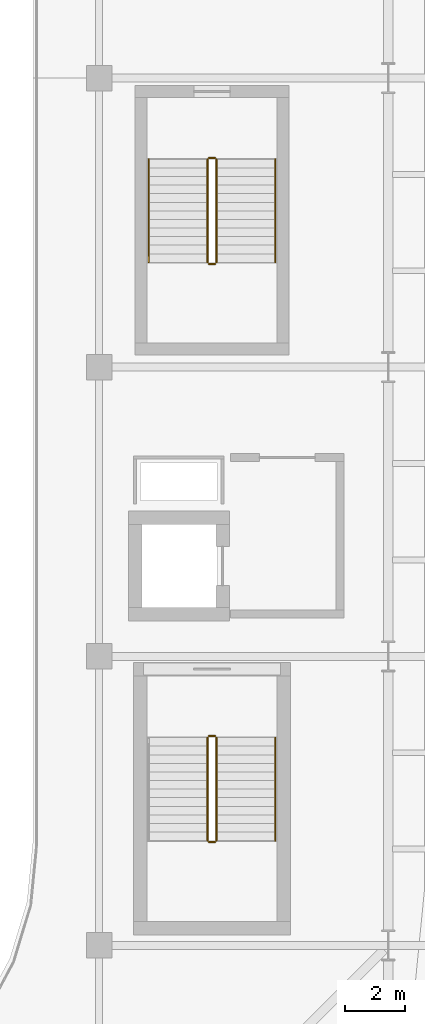
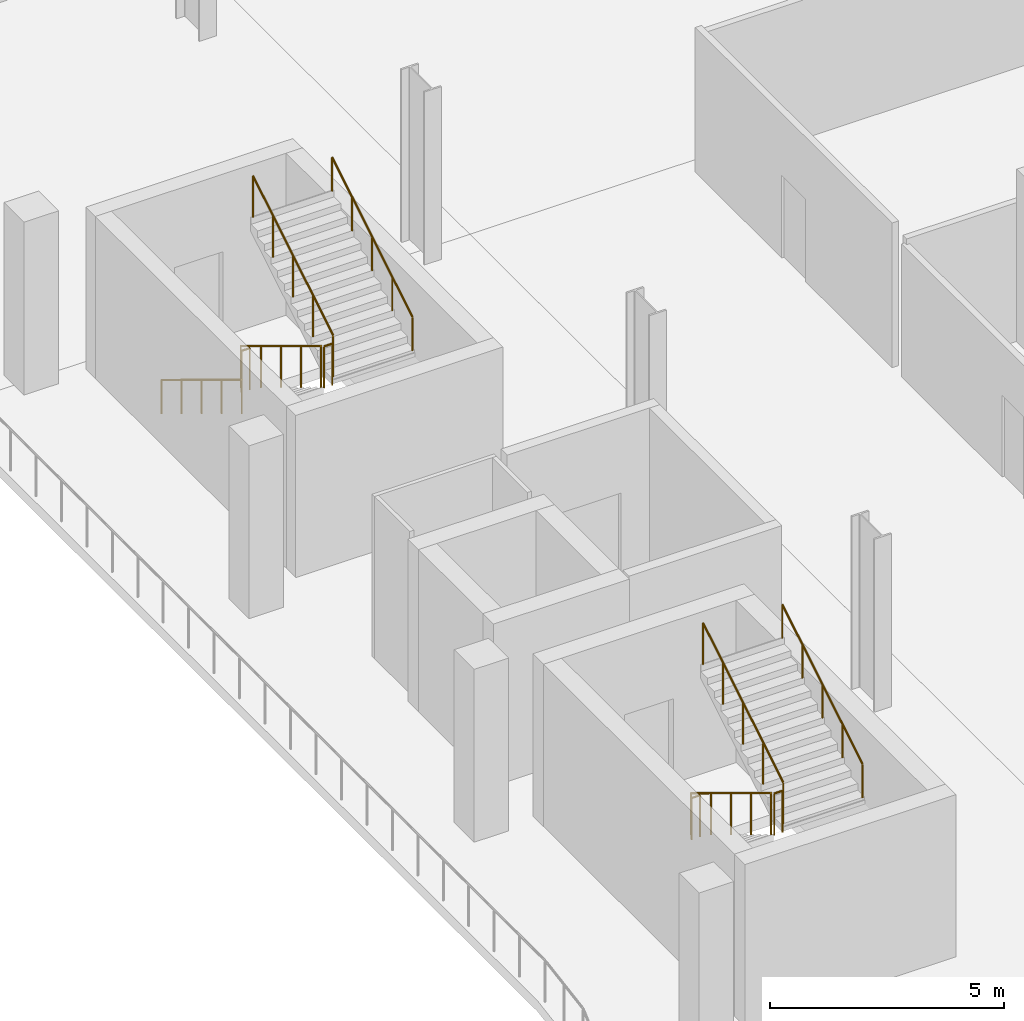
# One storey, part 86 of 92: 11 railings.
"""IFC4 building model written with IfcOpenShell, lengths in metres."""

from ifc_helpers import new_model, si_unit, direction, frame, origin, origin_2d, place, context, subcontext, project, spatial, circle, extrude, material, type_object, element, save


model = new_model("IFC4")

# Units and contexts
model_context = context("Model", 3, precision=1e-05, world=origin(), true_north=direction((0.0, 1.0)))
body_context = subcontext(model_context, "Body", "Model", "MODEL_VIEW")
ifc_project = project(units=[si_unit("LENGTHUNIT", "METRE"), si_unit("AREAUNIT", "SQUARE_METRE"), si_unit("VOLUMEUNIT", "CUBIC_METRE"), si_unit("PLANEANGLEUNIT", "RADIAN"), si_unit("MASSUNIT", "GRAM", prefix="KILO")], contexts=[model_context])

# Site, building, storey
site_placement = place(None, origin())
site = spatial("IfcSite", under=ifc_project, at=site_placement, CompositionType="ELEMENT")
building_placement = place(site_placement, origin())
building = spatial("IfcBuilding", under=site, at=building_placement, Name="Caelomonte Colonnade Arena", CompositionType="ELEMENT")
storey_placement = place(building_placement, frame((0.0, 0.0, 9.60009765625)))
storey = spatial("IfcBuildingStorey", under=building, at=storey_placement, Name="L02", CompositionType="ELEMENT", Elevation=9.60009765625)

# Railings
ifc_material_1 = material(Name="Painted galvanized steel stair guard", Category="steel")
railing_type_1 = type_object("IfcRailingType", Name="INT-RL-GRD", PredefinedType="GUARDRAIL", material=ifc_material_1)
railing_1_placement = place(storey_placement, frame((157.199951171875, 45.300048828125, 0.173095703125)))
element("IfcRailing", 1, at=railing_1_placement, inside=storey, type_object=railing_type_1, Name="L02 ST-02 stair guard 1", PredefinedType="GUARDRAIL", context=body_context, shape_type="SweptSolid", body=[
    extrude(circle(Radius=0.02392578125, at=origin_2d()), frame((0.0, 0.0, 1.076171875), z_axis=(0.0, -0.854745945586, 0.519046595696), x_axis=(1.0, 0.0, 0.0)), (0.0, 0.0, 1.0), 4.00146484375),
    extrude(circle(Radius=0.02099609375, at=origin_2d()), origin(), (0.0, 0.0, 1.0), 1.048095703125),
    extrude(circle(Radius=0.02099609375, at=origin_2d()), frame((0.0, -0.85498046875, 0.519287109375)), (0.0, 0.0, 1.0), 1.048095703125),
    extrude(circle(Radius=0.02099609375, at=origin_2d()), frame((0.0, -1.7099609375, 1.03857421875)), (0.0, 0.0, 1.0), 1.048095703125),
    extrude(circle(Radius=0.02099609375, at=origin_2d()), frame((0.0, -2.565185546875, 1.5576171875)), (0.0, 0.0, 1.0), 1.048095703125),
    extrude(circle(Radius=0.02099609375, at=origin_2d()), frame((0.0, -3.420166015625, 2.076904296875)), (0.0, 0.0, 1.0), 1.048095703125),
])
railing_2_placement = place(storey_placement, frame((157.25, 41.830078125, 2.25)))
element("IfcRailing", 2, at=railing_2_placement, inside=storey, type_object=railing_type_1, Name="L02 ST-02 stair guard 2", PredefinedType="GUARDRAIL", context=body_context, shape_type="SweptSolid", body=[
    extrude(circle(Radius=0.02392578125, at=origin_2d()), frame((0.0, 0.0, 1.076171875), z_axis=(1.0, 0.0, 0.0), x_axis=(0.0, 1.0, 0.0)), (0.0, 0.0, 1.0), 0.199951171875),
    extrude(circle(Radius=0.02099609375, at=origin_2d()), origin(), (0.0, 0.0, 1.0), 1.048095703125),
    extrude(circle(Radius=0.02099609375, at=origin_2d()), frame((0.199951171875, 0.0, 0.0)), (0.0, 0.0, 1.0), 1.048095703125),
])
railing_3_placement = place(storey_placement, frame((157.5, 41.8798828125, 2.423095703125)))
element("IfcRailing", 3, at=railing_3_placement, inside=storey, type_object=railing_type_1, Name="L02 ST-02 stair guard 3", PredefinedType="GUARDRAIL", context=body_context, shape_type="SweptSolid", body=[
    extrude(circle(Radius=0.02392578125, at=origin_2d()), frame((0.0, 0.0, 1.076171875), z_axis=(0.0, 0.854745945586, 0.519046595696), x_axis=(-1.0, 0.0, 0.0)), (0.0, 0.0, 1.0), 4.00146484375),
    extrude(circle(Radius=0.02099609375, at=origin_2d()), origin(), (0.0, 0.0, 1.0), 1.048095703125),
    extrude(circle(Radius=0.02099609375, at=origin_2d()), frame((0.0, 0.85498046875, 0.519287109375)), (0.0, 0.0, 1.0), 1.048095703125),
    extrude(circle(Radius=0.02099609375, at=origin_2d()), frame((0.0, 1.7099609375, 1.03857421875)), (0.0, 0.0, 1.0), 1.048095703125),
    extrude(circle(Radius=0.02099609375, at=origin_2d()), frame((0.0, 2.565185546875, 1.5576171875)), (0.0, 0.0, 1.0), 1.048095703125),
    extrude(circle(Radius=0.02099609375, at=origin_2d()), frame((0.0, 3.420166015625, 2.076904296875)), (0.0, 0.0, 1.0), 1.048095703125),
])
railing_4_placement = place(storey_placement, frame((157.25, 45.35009765625, 0.0)))
element("IfcRailing", 4, at=railing_4_placement, inside=storey, type_object=railing_type_1, Name="L02 ST-02 stair guard 4", PredefinedType="GUARDRAIL", context=body_context, shape_type="SweptSolid", body=[
    extrude(circle(Radius=0.02392578125, at=origin_2d()), frame((0.0, 0.0, 1.076171875), z_axis=(1.0, 0.0, 0.0), x_axis=(0.0, 1.0, 0.0)), (0.0, 0.0, 1.0), 0.199951171875),
    extrude(circle(Radius=0.02099609375, at=origin_2d()), origin(), (0.0, 0.0, 1.0), 1.048095703125),
    extrude(circle(Radius=0.02099609375, at=origin_2d()), frame((0.199951171875, 0.0, 0.0)), (0.0, 0.0, 1.0), 1.048095703125),
])
railing_5_placement = place(storey_placement, frame((157.199951171875, 64.5, 0.173095703125)))
element("IfcRailing", 5, at=railing_5_placement, inside=storey, type_object=railing_type_1, Name="L02 ST-10 stair guard 1", PredefinedType="GUARDRAIL", context=body_context, shape_type="SweptSolid", body=[
    extrude(circle(Radius=0.02392578125, at=origin_2d()), frame((0.0, 0.0, 1.076171875), z_axis=(0.0, -0.854729506542, 0.519073665916), x_axis=(1.0, 0.0, 0.0)), (0.0, 0.0, 1.0), 4.001220703125),
    extrude(circle(Radius=0.02099609375, at=origin_2d()), origin(), (0.0, 0.0, 1.0), 1.048095703125),
    extrude(circle(Radius=0.02099609375, at=origin_2d()), frame((0.0, -0.85498046875, 0.519287109375)), (0.0, 0.0, 1.0), 1.048095703125),
    extrude(circle(Radius=0.02099609375, at=origin_2d()), frame((0.0, -1.7099609375, 1.03857421875)), (0.0, 0.0, 1.0), 1.048095703125),
    extrude(circle(Radius=0.02099609375, at=origin_2d()), frame((0.0, -2.56494140625, 1.5576171875)), (0.0, 0.0, 1.0), 1.048095703125),
    extrude(circle(Radius=0.02099609375, at=origin_2d()), frame((0.0, -3.419921875, 2.076904296875)), (0.0, 0.0, 1.0), 1.048095703125),
])
railing_6_placement = place(storey_placement, frame((157.25, 61.030029296875, 2.25)))
element("IfcRailing", 6, at=railing_6_placement, inside=storey, type_object=railing_type_1, Name="L02 ST-10 stair guard 2", PredefinedType="GUARDRAIL", context=body_context, shape_type="SweptSolid", body=[
    extrude(circle(Radius=0.02392578125, at=origin_2d()), frame((0.0, 0.0, 1.076171875), z_axis=(1.0, 0.0, 0.0), x_axis=(0.0, 1.0, 0.0)), (0.0, 0.0, 1.0), 0.199951171875),
    extrude(circle(Radius=0.02099609375, at=origin_2d()), origin(), (0.0, 0.0, 1.0), 1.048095703125),
    extrude(circle(Radius=0.02099609375, at=origin_2d()), frame((0.199951171875, 0.0, 0.0)), (0.0, 0.0, 1.0), 1.048095703125),
])
railing_7_placement = place(storey_placement, frame((157.5, 61.080078125, 2.423095703125)))
element("IfcRailing", 7, at=railing_7_placement, inside=storey, type_object=railing_type_1, Name="L02 ST-10 stair guard 3", PredefinedType="GUARDRAIL", context=body_context, shape_type="SweptSolid", body=[
    extrude(circle(Radius=0.02392578125, at=origin_2d()), frame((0.0, 0.0, 1.076171875), z_axis=(0.0, 0.854729506542, 0.519073665916), x_axis=(-1.0, 0.0, 0.0)), (0.0, 0.0, 1.0), 4.001220703125),
    extrude(circle(Radius=0.02099609375, at=origin_2d()), origin(), (0.0, 0.0, 1.0), 1.048095703125),
    extrude(circle(Radius=0.02099609375, at=origin_2d()), frame((0.0, 0.85498046875, 0.519287109375)), (0.0, 0.0, 1.0), 1.048095703125),
    extrude(circle(Radius=0.02099609375, at=origin_2d()), frame((0.0, 1.7099609375, 1.03857421875)), (0.0, 0.0, 1.0), 1.048095703125),
    extrude(circle(Radius=0.02099609375, at=origin_2d()), frame((0.0, 2.56494140625, 1.5576171875)), (0.0, 0.0, 1.0), 1.048095703125),
    extrude(circle(Radius=0.02099609375, at=origin_2d()), frame((0.0, 3.419921875, 2.076904296875)), (0.0, 0.0, 1.0), 1.048095703125),
])
railing_8_placement = place(storey_placement, frame((157.25, 64.550048828125, 0.0)))
element("IfcRailing", 8, at=railing_8_placement, inside=storey, type_object=railing_type_1, Name="L02 ST-10 stair guard 4", PredefinedType="GUARDRAIL", context=body_context, shape_type="SweptSolid", body=[
    extrude(circle(Radius=0.02392578125, at=origin_2d()), frame((0.0, 0.0, 1.076171875), z_axis=(1.0, 0.0, 0.0), x_axis=(0.0, 1.0, 0.0)), (0.0, 0.0, 1.0), 0.199951171875),
    extrude(circle(Radius=0.02099609375, at=origin_2d()), origin(), (0.0, 0.0, 1.0), 1.048095703125),
    extrude(circle(Radius=0.02099609375, at=origin_2d()), frame((0.199951171875, 0.0, 0.0)), (0.0, 0.0, 1.0), 1.048095703125),
])
ifc_material_2 = material(Name="Brushed stainless steel stair handrail", Category="steel")
railing_type_2 = type_object("IfcRailingType", Name="INT-RL-HR", PredefinedType="HANDRAIL", material=ifc_material_2)
railing_9_placement = place(storey_placement, frame((159.449951171875, 41.8798828125, 2.423095703125)))
element("IfcRailing", 9, at=railing_9_placement, inside=storey, type_object=railing_type_2, Name="L02 ST-02 stair handrail 2", PredefinedType="HANDRAIL", context=body_context, shape_type="SweptSolid", body=[
    extrude(circle(Radius=0.02392578125, at=origin_2d()), frame((0.0, 0.0, 0.8759765625), z_axis=(0.0, 0.854745945586, 0.519046595696), x_axis=(-1.0, 0.0, 0.0)), (0.0, 0.0, 1.0), 4.00146484375),
    extrude(circle(Radius=0.02099609375, at=origin_2d()), origin(), (0.0, 0.0, 1.0), 0.847900390625),
    extrude(circle(Radius=0.02099609375, at=origin_2d()), frame((0.0, 0.85498046875, 0.519287109375)), (0.0, 0.0, 1.0), 0.847900390625),
    extrude(circle(Radius=0.02099609375, at=origin_2d()), frame((0.0, 1.7099609375, 1.03857421875)), (0.0, 0.0, 1.0), 0.847900390625),
    extrude(circle(Radius=0.02099609375, at=origin_2d()), frame((0.0, 2.565185546875, 1.5576171875)), (0.0, 0.0, 1.0), 0.847900390625),
    extrude(circle(Radius=0.02099609375, at=origin_2d()), frame((0.0, 3.420166015625, 2.076904296875)), (0.0, 0.0, 1.0), 0.847900390625),
])
railing_10_placement = place(storey_placement, frame((155.25, 64.5, 0.173095703125)))
element("IfcRailing", 10, at=railing_10_placement, inside=storey, type_object=railing_type_2, Name="L02 ST-10 stair handrail 1", PredefinedType="HANDRAIL", context=body_context, shape_type="SweptSolid", body=[
    extrude(circle(Radius=0.02392578125, at=origin_2d()), frame((0.0, 0.0, 0.8759765625), z_axis=(0.0, -0.854729506542, 0.519073665916), x_axis=(1.0, 0.0, 0.0)), (0.0, 0.0, 1.0), 4.001220703125),
    extrude(circle(Radius=0.02099609375, at=origin_2d()), origin(), (0.0, 0.0, 1.0), 0.847900390625),
    extrude(circle(Radius=0.02099609375, at=origin_2d()), frame((0.0, -0.85498046875, 0.519287109375)), (0.0, 0.0, 1.0), 0.847900390625),
    extrude(circle(Radius=0.02099609375, at=origin_2d()), frame((0.0, -1.7099609375, 1.03857421875)), (0.0, 0.0, 1.0), 0.847900390625),
    extrude(circle(Radius=0.02099609375, at=origin_2d()), frame((0.0, -2.56494140625, 1.5576171875)), (0.0, 0.0, 1.0), 0.847900390625),
    extrude(circle(Radius=0.02099609375, at=origin_2d()), frame((0.0, -3.419921875, 2.076904296875)), (0.0, 0.0, 1.0), 0.847900390625),
])
railing_11_placement = place(storey_placement, frame((159.449951171875, 61.080078125, 2.423095703125)))
element("IfcRailing", 11, at=railing_11_placement, inside=storey, type_object=railing_type_2, Name="L02 ST-10 stair handrail 2", PredefinedType="HANDRAIL", context=body_context, shape_type="SweptSolid", body=[
    extrude(circle(Radius=0.02392578125, at=origin_2d()), frame((0.0, 0.0, 0.8759765625), z_axis=(0.0, 0.854729506542, 0.519073665916), x_axis=(-1.0, 0.0, 0.0)), (0.0, 0.0, 1.0), 4.001220703125),
    extrude(circle(Radius=0.02099609375, at=origin_2d()), origin(), (0.0, 0.0, 1.0), 0.847900390625),
    extrude(circle(Radius=0.02099609375, at=origin_2d()), frame((0.0, 0.85498046875, 0.519287109375)), (0.0, 0.0, 1.0), 0.847900390625),
    extrude(circle(Radius=0.02099609375, at=origin_2d()), frame((0.0, 1.7099609375, 1.03857421875)), (0.0, 0.0, 1.0), 0.847900390625),
    extrude(circle(Radius=0.02099609375, at=origin_2d()), frame((0.0, 2.56494140625, 1.5576171875)), (0.0, 0.0, 1.0), 0.847900390625),
    extrude(circle(Radius=0.02099609375, at=origin_2d()), frame((0.0, 3.419921875, 2.076904296875)), (0.0, 0.0, 1.0), 0.847900390625),
])

save(model, "model.ifc")
